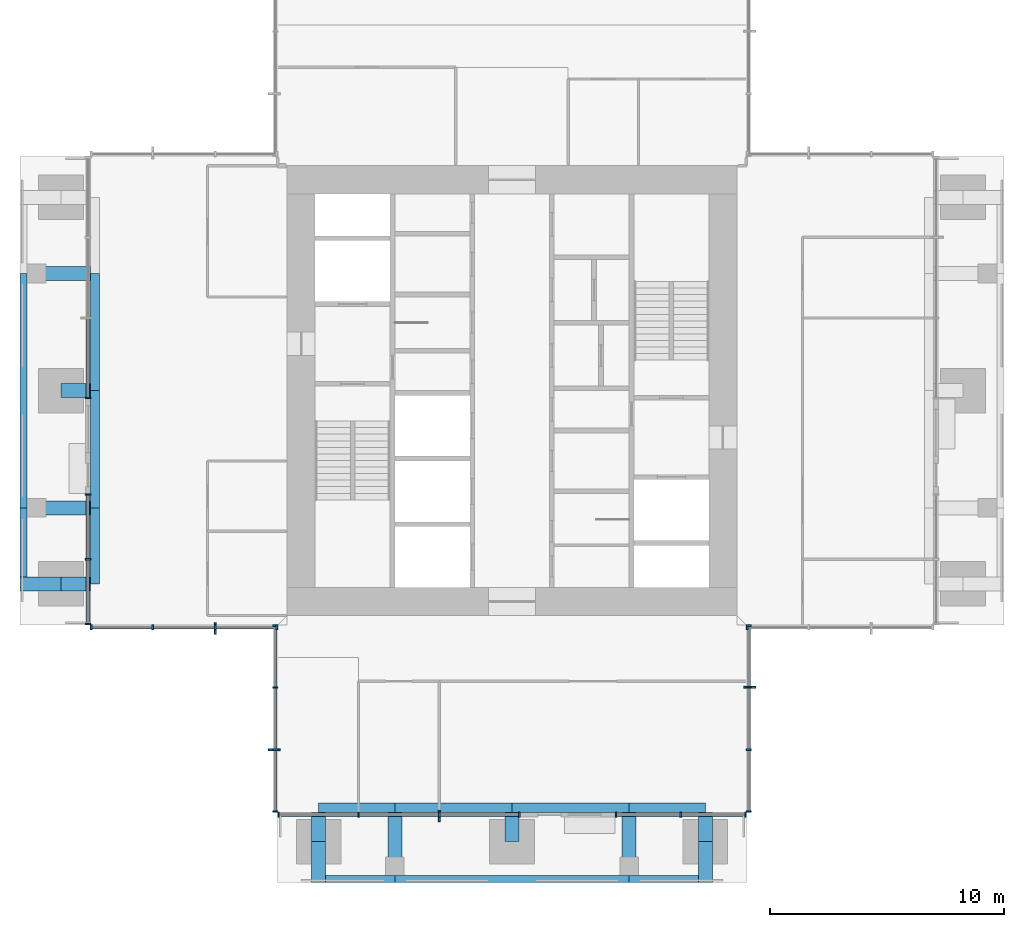
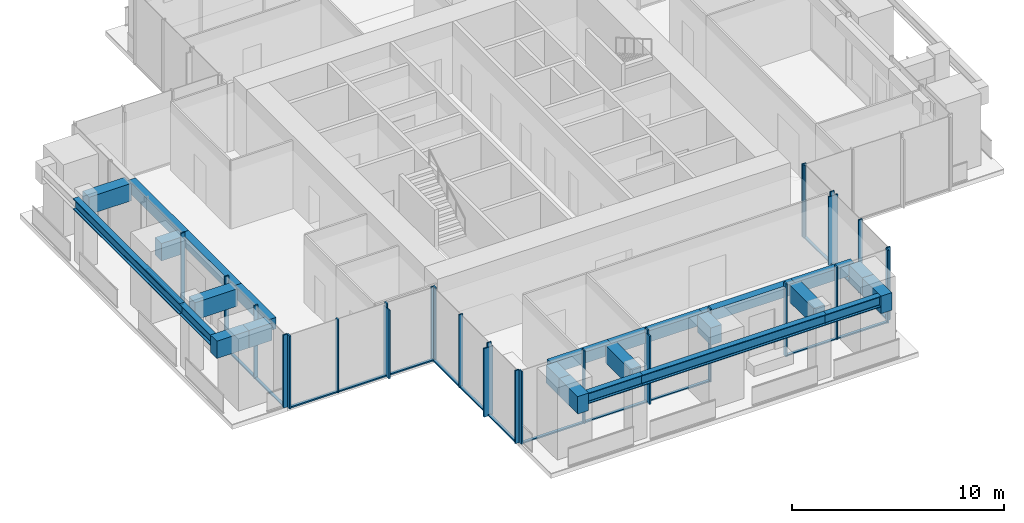
# One storey, part 2 of 12: 45 members, 24 beams, 8 elements without a shape of their own.
"""IFC4 building model written with IfcOpenShell, lengths in metres."""

import ifcopenshell
import ifcopenshell.guid

model = None  # the IFC model being written
_history = None  # IfcOwnerHistory: only IFC2X3 demands one
_inside = {}  # id of a spatial element -> (the spatial element, [elements in it])
_under = {}  # id of a project, library or spatial element -> (it, [spatial elements below it])
_declared = {}  # id of a project -> (the project, [libraries it declares])
_typed = {}  # id of a type object -> (the type object, [elements of that type])
_made_of = {}  # id of a material, layer set ... -> (it, [elements and type objects made of it])


def new_model(schema):
    """Start an empty IFC model of exactly this schema.

    Asked for "IFC4X3", IfcOpenShell would pick the latest addendum, in which some entities
    have other attributes; the version numbers below select the first issue.
    IFC2X3 requires an IfcOwnerHistory on every rooted entity: one is made here for all.
    """
    global model, _history
    if schema == "IFC4X3":
        model = ifcopenshell.file(schema_version=(4, 3, 0, 0))
    else:
        model = ifcopenshell.file(schema=schema)
    _inside.clear()
    _under.clear()
    _declared.clear()
    _typed.clear()
    _made_of.clear()
    _history = None
    if model.schema == "IFC2X3":
        org = make("IfcOrganization", Name="unknown")
        user = make(
            "IfcPersonAndOrganization",
            ThePerson=make("IfcPerson", FamilyName="unknown"),
            TheOrganization=org,
        )
        app = make(
            "IfcApplication",
            ApplicationDeveloper=org,
            Version="unknown",
            ApplicationFullName="unknown",
            ApplicationIdentifier="unknown",
        )
        _history = make(
            "IfcOwnerHistory",
            OwningUser=user,
            OwningApplication=app,
            ChangeAction="ADDED",
            CreationDate=0,
        )
    return model


def make(cls, **values):
    """One entity of the class cls with the attributes given. An attribute that is None is left unset."""
    return model.create_entity(
        cls, **{name: value for name, value in values.items() if value is not None}
    )


def rooted(cls, **values):
    """An entity with a GlobalId (a new one), such as an element, a storey or a relation."""
    return make(cls, GlobalId=ifcopenshell.guid.new(), OwnerHistory=_history, **values)


def si_unit(unit_type, name, prefix=None):
    """IfcSIUnit, for example si_unit("LENGTHUNIT", "METRE", prefix="MILLI")."""
    return make("IfcSIUnit", UnitType=unit_type, Prefix=prefix, Name=name)


def assignment(units):
    """IfcUnitAssignment: the units of a project."""
    return None if units is None else make("IfcUnitAssignment", Units=units)


def point(xyz):
    """IfcCartesianPoint."""
    return None if xyz is None else make("IfcCartesianPoint", Coordinates=xyz)


def direction(xyz):
    """IfcDirection."""
    return None if xyz is None else make("IfcDirection", DirectionRatios=xyz)


def frame(location, z_axis=None, x_axis=None):
    """IfcAxis2Placement3D, a coordinate frame: its origin and axes. An axis left out is left unset."""
    return make(
        "IfcAxis2Placement3D",
        Location=point(location),
        Axis=direction(z_axis),
        RefDirection=direction(x_axis),
    )


def frame_2d(location, x_axis=None):
    """IfcAxis2Placement2D, a coordinate frame in the plane: its origin and x axis."""
    return make(
        "IfcAxis2Placement2D", Location=point(location), RefDirection=direction(x_axis)
    )


def origin():
    """The frame at (0, 0, 0) with its axes left unset."""
    return frame((0.0, 0.0, 0.0))


def origin_2d():
    """The frame at (0, 0) in the plane with its x axis left unset."""
    return frame_2d((0.0, 0.0))


def place(relative_to, where):
    """IfcLocalPlacement: puts the frame where relative to a parent placement (None: the world)."""
    return make(
        "IfcLocalPlacement", PlacementRelTo=relative_to, RelativePlacement=where
    )


def context(
    kind, dimensions, precision=None, world=None, true_north=None, identifier=None
):
    """IfcGeometricRepresentationContext, for example the 3D "Model" context."""
    return make(
        "IfcGeometricRepresentationContext",
        ContextIdentifier=identifier,
        ContextType=kind,
        CoordinateSpaceDimension=dimensions,
        Precision=precision,
        WorldCoordinateSystem=world,
        TrueNorth=true_north,
    )


def subcontext(parent, identifier, kind, view, scale=None):
    """IfcGeometricRepresentationSubContext, for example "Body" below "Model"."""
    return make(
        "IfcGeometricRepresentationSubContext",
        ContextIdentifier=identifier,
        ContextType=kind,
        ParentContext=parent,
        TargetScale=scale,
        TargetView=view,
    )


def project(units=None, contexts=None):
    """IfcProject with its units and contexts."""
    return rooted(
        "IfcProject",
        Name="project",
        RepresentationContexts=contexts,
        UnitsInContext=assignment(units),
    )


def spatial(cls, under=None, at=None, **own):
    """A site, building, storey or space (cls), placed at a placement, below another one or the project."""
    s = rooted(cls, ObjectPlacement=at, **own)
    if under is not None:
        _under.setdefault(under.id(), (under, []))[1].append(s)
    return s


def profile(cls, at=None, kind="AREA", **sizes):
    """A parametric profile (cls). Its sizes go by their IFC names, for example OverallWidth=200.0."""
    return make(cls, ProfileType=kind, Position=at, **sizes)


def rectangle(**sizes):
    """IfcRectangleProfileDef."""
    return profile("IfcRectangleProfileDef", **sizes)


def i_section(**sizes):
    """IfcIShapeProfileDef."""
    return profile("IfcIShapeProfileDef", **sizes)


def extrude(swept, where, along, depth):
    """IfcExtrudedAreaSolid: the profile swept, set in the frame where, extruded along a direction by depth."""
    return make(
        "IfcExtrudedAreaSolid",
        SweptArea=swept,
        Position=where,
        ExtrudedDirection=direction(along),
        Depth=depth,
    )


def shape(context_of_items, identifier, shape_type, items):
    """IfcShapeRepresentation: the items that make up one representation, for example the "Body"."""
    return make(
        "IfcShapeRepresentation",
        ContextOfItems=context_of_items,
        RepresentationIdentifier=identifier,
        RepresentationType=shape_type,
        Items=items,
    )


def material(Name=None, Category=None):
    """IfcMaterial."""
    return make("IfcMaterial", Name=Name, Category=Category)


def material_profile(
    of_material, cross_section, Name=None, Category=None, Priority=None
):
    """IfcMaterialProfile: a cross section and its material."""
    return make(
        "IfcMaterialProfile",
        Name=Name,
        Material=of_material,
        Profile=cross_section,
        Priority=Priority,
        Category=Category,
    )


def profile_set(profiles, Name=None, composite=None):
    """IfcMaterialProfileSet."""
    return make(
        "IfcMaterialProfileSet",
        Name=Name,
        MaterialProfiles=profiles,
        CompositeProfile=composite,
    )


def made_of(thing, what):
    """Note that an element or type object is made of a material, layer set ...; save() writes the relation."""
    if what is not None:
        _made_of.setdefault(what.id(), (what, []))[1].append(thing)
    return thing


def type_object(cls, material=None, **own):
    """A type object (cls), such as IfcWallType, which elements share."""
    return made_of(rooted(cls, **own), material)


def element(
    cls,
    number,
    at=None,
    inside=None,
    cuts=None,
    type_object=None,
    material=None,
    context=None,
    identifier="Body",
    shape_type=None,
    held_by="IfcProductDefinitionShape",
    body=None,
    shapes=None,
    **own,
):
    """One element of the class cls, such as IfcWall. Its Tag is "e" and its number.

    at: its placement. inside: the storey or other place that contains it. cuts: it is an
    opening in that element (IfcRelVoidsElement). A single representation is given by context,
    identifier, shape_type and body (its items); several are given by shapes. held_by: the class
    of the entity that holds the representations. save() writes the other relations.
    """
    e = rooted(cls, Tag="e%d" % number, ObjectPlacement=at, **own)
    if body is not None:
        shapes = [shape(context, identifier, shape_type, body)]
    if shapes is not None:
        e.Representation = make(held_by, Representations=shapes)
    if inside is not None:
        _inside.setdefault(inside.id(), (inside, []))[1].append(e)
    if cuts is not None:
        rooted(
            "IfcRelVoidsElement", RelatingBuildingElement=cuts, RelatedOpeningElement=e
        )
    if type_object is not None:
        _typed.setdefault(type_object.id(), (type_object, []))[1].append(e)
    return made_of(e, material)


def aggregate(whole, parts):
    """IfcRelAggregates: a whole, such as a stair, and the parts it consists of."""
    return rooted("IfcRelAggregates", RelatingObject=whole, RelatedObjects=parts)


def save(model, path):
    """Write the relations noted so far, then the file.

    IfcRelAggregates (storeys below a building ...), IfcRelContainedInSpatialStructure (elements
    in a storey), IfcRelDefinesByType, IfcRelAssociatesMaterial and IfcRelDeclares: one each for
    every whole, place, type object, material and project.
    """
    for whole, parts in _under.values():
        aggregate(whole, parts)
    for where, things in _inside.values():
        rooted(
            "IfcRelContainedInSpatialStructure",
            RelatedElements=things,
            RelatingStructure=where,
        )
    for kind, things in _typed.values():
        rooted("IfcRelDefinesByType", RelatedObjects=things, RelatingType=kind)
    for what, things in _made_of.values():
        rooted("IfcRelAssociatesMaterial", RelatedObjects=things, RelatingMaterial=what)
    for by, libraries in _declared.values():
        rooted("IfcRelDeclares", RelatingContext=by, RelatedDefinitions=libraries)
    model.write(path)


model = new_model("IFC4")

# Units and contexts
model_context = context("Model", 3, precision=1e-05, world=origin(), true_north=direction((0.0, 1.0)))
body_context = subcontext(model_context, "Body", "Model", "MODEL_VIEW")
ifc_project = project(units=[si_unit("LENGTHUNIT", "METRE"), si_unit("AREAUNIT", "SQUARE_METRE"), si_unit("VOLUMEUNIT", "CUBIC_METRE"), si_unit("PLANEANGLEUNIT", "RADIAN"), si_unit("MASSUNIT", "GRAM", prefix="KILO")], contexts=[model_context])

# Site, building, storey
site_placement = place(None, origin())
site = spatial("IfcSite", under=ifc_project, at=site_placement, CompositionType="ELEMENT")
building_placement = place(site_placement, origin())
building = spatial("IfcBuilding", under=site, at=building_placement, Name="Svetlomir Tower", CompositionType="ELEMENT")
storey_placement = place(building_placement, frame((0.0, 0.0, 260.800048828125)))
storey = spatial("IfcBuildingStorey", under=building, at=storey_placement, Name="L62", CompositionType="ELEMENT", Elevation=260.800048828125)

# Curtain wall, member
ifc_material_1 = material(Name="Bronze anodised aluminium curtain wall", Category="aluminium")
curtain_wall_type = type_object("IfcCurtainWallType", Name="CURTAIN WALL CW4 EXECUTIVE", PredefinedType="NOTDEFINED", material=ifc_material_1)
curtain_wall_1_placement = place(storey_placement, origin())
curtain_wall_1 = element("IfcCurtainWall", 1, at=curtain_wall_1_placement, inside=storey, type_object=curtain_wall_type, Name="Curtain wall CW4 L62", PredefinedType="NOTDEFINED")
ifc_material_2 = material(Name="Bronze anodised aluminium", Category="aluminium")
ifc_material_profile_1 = material_profile(ifc_material_2, rectangle(XDim=0.080078125, YDim=0.5, at=origin_2d()), Name="FIN 80x500")
ifc_profile_set_1 = profile_set([ifc_material_profile_1], Name="Bronze anodised aluminium 6063-T6")
member_type_1 = type_object("IfcMemberType", Name="BRONZE FIN 80x500", PredefinedType="USERDEFINED", material=ifc_profile_set_1)
member_1_placement = place(storey_placement, frame((17.89990234375, 2.85009765625, 0.0), z_axis=(0.0, 0.0, 1.0), x_axis=(1.0, 0.0, 0.0)))
member_1 = element("IfcMember", 2, at=member_1_placement, type_object=member_type_1, Name="Bronze fin L62", ObjectType="FIN", PredefinedType="USERDEFINED", context=body_context, shape_type="SweptSolid", body=[
    extrude(rectangle(XDim=0.080078125, YDim=0.5, at=origin_2d()), origin(), (0.0, 0.0, 1.0), 3.949951171875),
])

curtain_wall_2_placement = place(storey_placement, origin())
curtain_wall_2 = element("IfcCurtainWall", 3, at=curtain_wall_2_placement, inside=storey, type_object=curtain_wall_type, Name="Curtain wall CW4 L62", PredefinedType="NOTDEFINED")
member_2_placement = place(storey_placement, frame((31.14990234375, 8.333251953125, 0.0), z_axis=(0.0, 0.0, 1.0), x_axis=(0.0, 1.0, 0.0)))
member_2 = element("IfcMember", 4, at=member_2_placement, type_object=member_type_1, Name="Bronze fin L62", ObjectType="FIN", PredefinedType="USERDEFINED", context=body_context, shape_type="SweptSolid", body=[
    extrude(rectangle(XDim=0.080078125, YDim=0.5, at=origin_2d()), origin(), (0.0, 0.0, 1.0), 3.949951171875),
])

curtain_wall_3_placement = place(storey_placement, origin())
curtain_wall_3 = element("IfcCurtainWall", 5, at=curtain_wall_3_placement, inside=storey, type_object=curtain_wall_type, Name="Curtain wall CW4 L62", PredefinedType="NOTDEFINED")
member_3_placement = place(storey_placement, frame((8.333251953125, 10.85009765625, 0.0), z_axis=(0.0, 0.0, 1.0), x_axis=(1.0, 0.0, 0.0)))
member_3 = element("IfcMember", 6, at=member_3_placement, type_object=member_type_1, Name="Bronze fin L62", ObjectType="FIN", PredefinedType="USERDEFINED", context=body_context, shape_type="SweptSolid", body=[
    extrude(rectangle(XDim=0.080078125, YDim=0.5, at=origin_2d()), origin(), (0.0, 0.0, 1.0), 3.949951171875),
])

curtain_wall_4_placement = place(storey_placement, origin())
curtain_wall_4 = element("IfcCurtainWall", 7, at=curtain_wall_4_placement, inside=storey, type_object=curtain_wall_type, Name="Curtain wall CW4 L62", PredefinedType="NOTDEFINED")
member_4_placement = place(storey_placement, frame((10.85009765625, 5.666748046875, 0.0), z_axis=(0.0, 0.0, 1.0), x_axis=(0.0, 1.0, 0.0)))
member_4 = element("IfcMember", 8, at=member_4_placement, type_object=member_type_1, Name="Bronze fin L62", ObjectType="FIN", PredefinedType="USERDEFINED", context=body_context, shape_type="SweptSolid", body=[
    extrude(rectangle(XDim=0.080078125, YDim=0.5, at=origin_2d()), origin(), (0.0, 0.0, 1.0), 3.949951171875),
])

# Member
ifc_material_3 = material(Name="Bronze anodised aluminium", Category="aluminium")
ifc_material_profile_2 = material_profile(ifc_material_3, rectangle(XDim=0.074951171875, YDim=0.219970703125, at=origin_2d()), Name="AL 75x220")
ifc_profile_set_2 = profile_set([ifc_material_profile_2], Name="Bronze anodised aluminium 6063-T6")
member_type_2 = type_object("IfcMemberType", Name="CW4 MULLION 75x220", PredefinedType="MULLION", material=ifc_profile_set_2)
member_5_placement = place(storey_placement, frame((11.03759765625, 2.89990234375, 0.0), z_axis=(0.0, 0.0, 1.0), x_axis=(1.0, 0.0, 0.0)))
member_5 = element("IfcMember", 9, at=member_5_placement, type_object=member_type_2, Name="CW4 mullion 1", PredefinedType="MULLION", context=body_context, shape_type="SweptSolid", body=[
    extrude(rectangle(XDim=0.074951171875, YDim=0.219970703125, at=origin_2d()), origin(), (0.0, 0.0, 1.0), 4.199951171875),
])

member_6_placement = place(storey_placement, frame((14.449951171875, 2.89990234375, 0.0), z_axis=(0.0, 0.0, 1.0), x_axis=(1.0, 0.0, 0.0)))
member_6 = element("IfcMember", 10, at=member_6_placement, type_object=member_type_2, Name="CW4 mullion 2", PredefinedType="MULLION", context=body_context, shape_type="SweptSolid", body=[
    extrude(rectangle(XDim=0.074951171875, YDim=0.219970703125, at=origin_2d()), origin(), (0.0, 0.0, 1.0), 4.199951171875),
])

member_7_placement = place(storey_placement, frame((17.89990234375, 2.89990234375, 0.0), z_axis=(0.0, 0.0, 1.0), x_axis=(1.0, 0.0, 0.0)))
member_7 = element("IfcMember", 11, at=member_7_placement, type_object=member_type_2, Name="CW4 mullion 3", PredefinedType="MULLION", context=body_context, shape_type="SweptSolid", body=[
    extrude(rectangle(XDim=0.074951171875, YDim=0.219970703125, at=origin_2d()), origin(), (0.0, 0.0, 1.0), 4.199951171875),
])

member_8_placement = place(storey_placement, frame((21.3125, 2.89990234375, 0.0), z_axis=(0.0, 0.0, 1.0), x_axis=(1.0, 0.0, 0.0)))
member_8 = element("IfcMember", 12, at=member_8_placement, type_object=member_type_2, Name="CW4 mullion 4", PredefinedType="MULLION", context=body_context, shape_type="SweptSolid", body=[
    extrude(rectangle(XDim=0.074951171875, YDim=0.219970703125, at=origin_2d()), origin(), (0.0, 0.0, 1.0), 4.199951171875),
])

# Curtain wall, members
curtain_wall_5_placement = place(storey_placement, origin())
curtain_wall_5 = element("IfcCurtainWall", 13, at=curtain_wall_5_placement, inside=storey, type_object=curtain_wall_type, Name="Curtain wall CW4 L62", PredefinedType="NOTDEFINED")
member_9_placement = place(storey_placement, frame((25.4375, 2.89990234375, 0.0), z_axis=(0.0, 0.0, 1.0), x_axis=(1.0, 0.0, 0.0)))
member_9 = element("IfcMember", 14, at=member_9_placement, type_object=member_type_2, Name="CW4 mullion 1", PredefinedType="MULLION", context=body_context, shape_type="SweptSolid", body=[
    extrude(rectangle(XDim=0.074951171875, YDim=0.219970703125, at=origin_2d()), origin(), (0.0, 0.0, 1.0), 4.199951171875),
])
member_10_placement = place(storey_placement, frame((28.199951171875, 2.89990234375, 0.0), z_axis=(0.0, 0.0, 1.0), x_axis=(1.0, 0.0, 0.0)))
member_10 = element("IfcMember", 15, at=member_10_placement, type_object=member_type_2, Name="CW4 mullion 2", PredefinedType="MULLION", context=body_context, shape_type="SweptSolid", body=[
    extrude(rectangle(XDim=0.074951171875, YDim=0.219970703125, at=origin_2d()), origin(), (0.0, 0.0, 1.0), 4.199951171875),
])
member_11_placement = place(storey_placement, frame((30.96240234375, 2.89990234375, 0.0), z_axis=(0.0, 0.0, 1.0), x_axis=(1.0, 0.0, 0.0)))
member_11 = element("IfcMember", 16, at=member_11_placement, type_object=member_type_2, Name="CW4 mullion 3", PredefinedType="MULLION", context=body_context, shape_type="SweptSolid", body=[
    extrude(rectangle(XDim=0.074951171875, YDim=0.219970703125, at=origin_2d()), origin(), (0.0, 0.0, 1.0), 4.199951171875),
])

# Member
member_12_placement = place(storey_placement, frame((31.10009765625, 3.03759765625, 0.0), z_axis=(0.0, 0.0, 1.0), x_axis=(0.0, 1.0, 0.0)))
member_12 = element("IfcMember", 17, at=member_12_placement, type_object=member_type_2, Name="CW4 mullion 1", PredefinedType="MULLION", context=body_context, shape_type="SweptSolid", body=[
    extrude(rectangle(XDim=0.074951171875, YDim=0.219970703125, at=origin_2d()), origin(), (0.0, 0.0, 1.0), 4.199951171875),
])

member_13_placement = place(storey_placement, frame((31.10009765625, 5.666748046875, 0.0), z_axis=(0.0, 0.0, 1.0), x_axis=(0.0, 1.0, 0.0)))
member_13 = element("IfcMember", 18, at=member_13_placement, type_object=member_type_2, Name="CW4 mullion 2", PredefinedType="MULLION", context=body_context, shape_type="SweptSolid", body=[
    extrude(rectangle(XDim=0.074951171875, YDim=0.219970703125, at=origin_2d()), origin(), (0.0, 0.0, 1.0), 4.199951171875),
])

member_14_placement = place(storey_placement, frame((31.10009765625, 8.333251953125, 0.0), z_axis=(0.0, 0.0, 1.0), x_axis=(0.0, 1.0, 0.0)))
member_14 = element("IfcMember", 19, at=member_14_placement, type_object=member_type_2, Name="CW4 mullion 3", PredefinedType="MULLION", context=body_context, shape_type="SweptSolid", body=[
    extrude(rectangle(XDim=0.074951171875, YDim=0.219970703125, at=origin_2d()), origin(), (0.0, 0.0, 1.0), 4.199951171875),
])

member_15_placement = place(storey_placement, frame((31.10009765625, 10.96240234375, 0.0), z_axis=(0.0, 0.0, 1.0), x_axis=(0.0, 1.0, 0.0)))
member_15 = element("IfcMember", 20, at=member_15_placement, type_object=member_type_2, Name="CW4 mullion 4", PredefinedType="MULLION", context=body_context, shape_type="SweptSolid", body=[
    extrude(rectangle(XDim=0.074951171875, YDim=0.219970703125, at=origin_2d()), origin(), (0.0, 0.0, 1.0), 4.199951171875),
])

# Curtain wall, member
curtain_wall_6_placement = place(storey_placement, origin())
curtain_wall_6 = element("IfcCurtainWall", 21, at=curtain_wall_6_placement, inside=storey, type_object=curtain_wall_type, Name="Curtain wall CW4 L62", PredefinedType="NOTDEFINED")
member_16_placement = place(storey_placement, frame((31.03759765625, 10.89990234375, 0.0), z_axis=(0.0, 0.0, 1.0), x_axis=(1.0, 0.0, 0.0)))
member_16 = element("IfcMember", 22, at=member_16_placement, type_object=member_type_2, Name="CW4 mullion 1", PredefinedType="MULLION", context=body_context, shape_type="SweptSolid", body=[
    extrude(rectangle(XDim=0.074951171875, YDim=0.219970703125, at=origin_2d()), origin(), (0.0, 0.0, 1.0), 4.199951171875),
])
aggregate(curtain_wall_6, [member_16])

curtain_wall_7_placement = place(storey_placement, origin())
curtain_wall_7 = element("IfcCurtainWall", 23, at=curtain_wall_7_placement, inside=storey, type_object=curtain_wall_type, Name="Curtain wall CW4 L62", PredefinedType="NOTDEFINED")
member_17_placement = place(storey_placement, frame((2.89990234375, 20.6875, 0.0), z_axis=(0.0, 0.0, 1.0), x_axis=(0.0, -1.0, 0.0)))
member_17 = element("IfcMember", 24, at=member_17_placement, type_object=member_type_2, Name="CW4 mullion 4", PredefinedType="MULLION", context=body_context, shape_type="SweptSolid", body=[
    extrude(rectangle(XDim=0.074951171875, YDim=0.219970703125, at=origin_2d()), origin(), (0.0, 0.0, 1.0), 4.199951171875),
])

# Curtain wall, members
curtain_wall_8_placement = place(storey_placement, origin())
curtain_wall_8 = element("IfcCurtainWall", 25, at=curtain_wall_8_placement, inside=storey, type_object=curtain_wall_type, Name="Curtain wall CW4 L62", PredefinedType="NOTDEFINED")
member_18_placement = place(storey_placement, frame((2.89990234375, 16.5625, 0.0), z_axis=(0.0, 0.0, 1.0), x_axis=(0.0, -1.0, 0.0)))
member_18 = element("IfcMember", 26, at=member_18_placement, type_object=member_type_2, Name="CW4 mullion 1", PredefinedType="MULLION", context=body_context, shape_type="SweptSolid", body=[
    extrude(rectangle(XDim=0.074951171875, YDim=0.219970703125, at=origin_2d()), origin(), (0.0, 0.0, 1.0), 4.199951171875),
])
member_19_placement = place(storey_placement, frame((2.89990234375, 13.800048828125, 0.0), z_axis=(0.0, 0.0, 1.0), x_axis=(0.0, -1.0, 0.0)))
member_19 = element("IfcMember", 27, at=member_19_placement, type_object=member_type_2, Name="CW4 mullion 2", PredefinedType="MULLION", context=body_context, shape_type="SweptSolid", body=[
    extrude(rectangle(XDim=0.074951171875, YDim=0.219970703125, at=origin_2d()), origin(), (0.0, 0.0, 1.0), 4.199951171875),
])
member_20_placement = place(storey_placement, frame((2.89990234375, 11.03759765625, 0.0), z_axis=(0.0, 0.0, 1.0), x_axis=(0.0, -1.0, 0.0)))
member_20 = element("IfcMember", 28, at=member_20_placement, type_object=member_type_2, Name="CW4 mullion 3", PredefinedType="MULLION", context=body_context, shape_type="SweptSolid", body=[
    extrude(rectangle(XDim=0.074951171875, YDim=0.219970703125, at=origin_2d()), origin(), (0.0, 0.0, 1.0), 4.199951171875),
])

# Member
member_21_placement = place(storey_placement, frame((3.03759765625, 10.89990234375, 0.0), z_axis=(0.0, 0.0, 1.0), x_axis=(1.0, 0.0, 0.0)))
member_21 = element("IfcMember", 29, at=member_21_placement, type_object=member_type_2, Name="CW4 mullion 1", PredefinedType="MULLION", context=body_context, shape_type="SweptSolid", body=[
    extrude(rectangle(XDim=0.074951171875, YDim=0.219970703125, at=origin_2d()), origin(), (0.0, 0.0, 1.0), 4.199951171875),
])

member_22_placement = place(storey_placement, frame((5.666748046875, 10.89990234375, 0.0), z_axis=(0.0, 0.0, 1.0), x_axis=(1.0, 0.0, 0.0)))
member_22 = element("IfcMember", 30, at=member_22_placement, type_object=member_type_2, Name="CW4 mullion 2", PredefinedType="MULLION", context=body_context, shape_type="SweptSolid", body=[
    extrude(rectangle(XDim=0.074951171875, YDim=0.219970703125, at=origin_2d()), origin(), (0.0, 0.0, 1.0), 4.199951171875),
])

member_23_placement = place(storey_placement, frame((8.333251953125, 10.89990234375, 0.0), z_axis=(0.0, 0.0, 1.0), x_axis=(1.0, 0.0, 0.0)))
member_23 = element("IfcMember", 31, at=member_23_placement, type_object=member_type_2, Name="CW4 mullion 3", PredefinedType="MULLION", context=body_context, shape_type="SweptSolid", body=[
    extrude(rectangle(XDim=0.074951171875, YDim=0.219970703125, at=origin_2d()), origin(), (0.0, 0.0, 1.0), 4.199951171875),
])

member_24_placement = place(storey_placement, frame((10.96240234375, 10.89990234375, 0.0), z_axis=(0.0, 0.0, 1.0), x_axis=(1.0, 0.0, 0.0)))
member_24 = element("IfcMember", 32, at=member_24_placement, type_object=member_type_2, Name="CW4 mullion 4", PredefinedType="MULLION", context=body_context, shape_type="SweptSolid", body=[
    extrude(rectangle(XDim=0.074951171875, YDim=0.219970703125, at=origin_2d()), origin(), (0.0, 0.0, 1.0), 4.199951171875),
])

member_25_placement = place(storey_placement, frame((10.89990234375, 10.96240234375, 0.0), z_axis=(0.0, 0.0, 1.0), x_axis=(0.0, -1.0, 0.0)))
member_25 = element("IfcMember", 33, at=member_25_placement, type_object=member_type_2, Name="CW4 mullion 1", PredefinedType="MULLION", context=body_context, shape_type="SweptSolid", body=[
    extrude(rectangle(XDim=0.074951171875, YDim=0.219970703125, at=origin_2d()), origin(), (0.0, 0.0, 1.0), 4.199951171875),
])

member_26_placement = place(storey_placement, frame((10.89990234375, 8.333251953125, 0.0), z_axis=(0.0, 0.0, 1.0), x_axis=(0.0, -1.0, 0.0)))
member_26 = element("IfcMember", 34, at=member_26_placement, type_object=member_type_2, Name="CW4 mullion 2", PredefinedType="MULLION", context=body_context, shape_type="SweptSolid", body=[
    extrude(rectangle(XDim=0.074951171875, YDim=0.219970703125, at=origin_2d()), origin(), (0.0, 0.0, 1.0), 4.199951171875),
])

member_27_placement = place(storey_placement, frame((10.89990234375, 5.666748046875, 0.0), z_axis=(0.0, 0.0, 1.0), x_axis=(0.0, -1.0, 0.0)))
member_27 = element("IfcMember", 35, at=member_27_placement, type_object=member_type_2, Name="CW4 mullion 3", PredefinedType="MULLION", context=body_context, shape_type="SweptSolid", body=[
    extrude(rectangle(XDim=0.074951171875, YDim=0.219970703125, at=origin_2d()), origin(), (0.0, 0.0, 1.0), 4.199951171875),
])

member_28_placement = place(storey_placement, frame((10.89990234375, 3.03759765625, 0.0), z_axis=(0.0, 0.0, 1.0), x_axis=(0.0, -1.0, 0.0)))
member_28 = element("IfcMember", 36, at=member_28_placement, type_object=member_type_2, Name="CW4 mullion 4", PredefinedType="MULLION", context=body_context, shape_type="SweptSolid", body=[
    extrude(rectangle(XDim=0.074951171875, YDim=0.219970703125, at=origin_2d()), origin(), (0.0, 0.0, 1.0), 4.199951171875),
])

ifc_material_4 = material(Name="Bronze anodised aluminium", Category="aluminium")
ifc_material_profile_3 = material_profile(ifc_material_4, rectangle(XDim=0.14990234375, YDim=0.074951171875, at=origin_2d()), Name="AL 150x75")
ifc_profile_set_3 = profile_set([ifc_material_profile_3], Name="Bronze anodised aluminium 6063-T6")
member_type_3 = type_object("IfcMemberType", Name="CW4 TRANSOM 75x150", PredefinedType="USERDEFINED", material=ifc_profile_set_3)
member_29_placement = place(storey_placement, frame((11.074951171875, 2.89990234375, 0.037353515625), z_axis=(1.0, 0.0, 0.0), x_axis=(0.0, 1.0, 0.0)))
member_29 = element("IfcMember", 37, at=member_29_placement, type_object=member_type_3, Name="CW4 transom 1.1", ObjectType="TRANSOM", PredefinedType="USERDEFINED", context=body_context, shape_type="SweptSolid", body=[
    extrude(rectangle(XDim=0.14990234375, YDim=0.074951171875, at=origin_2d()), origin(), (0.0, 0.0, 1.0), 3.337646484375),
])

member_30_placement = place(storey_placement, frame((14.487548828125, 2.89990234375, 0.037353515625), z_axis=(1.0, 0.0, 0.0), x_axis=(0.0, 1.0, 0.0)))
member_30 = element("IfcMember", 38, at=member_30_placement, type_object=member_type_3, Name="CW4 transom 2.1", ObjectType="TRANSOM", PredefinedType="USERDEFINED", context=body_context, shape_type="SweptSolid", body=[
    extrude(rectangle(XDim=0.14990234375, YDim=0.074951171875, at=origin_2d()), origin(), (0.0, 0.0, 1.0), 3.375),
])

member_31_placement = place(storey_placement, frame((17.9375, 2.89990234375, 0.037353515625), z_axis=(1.0, 0.0, 0.0), x_axis=(0.0, 1.0, 0.0)))
member_31 = element("IfcMember", 39, at=member_31_placement, type_object=member_type_3, Name="CW4 transom 3.1", ObjectType="TRANSOM", PredefinedType="USERDEFINED", context=body_context, shape_type="SweptSolid", body=[
    extrude(rectangle(XDim=0.14990234375, YDim=0.074951171875, at=origin_2d()), origin(), (0.0, 0.0, 1.0), 3.33740234375),
])

aggregate(curtain_wall_1, [member_5, member_6, member_7, member_8, member_29, member_30, member_31, member_1])

member_32_placement = place(storey_placement, frame((25.47509765625, 2.89990234375, 0.037353515625), z_axis=(1.0, 0.0, 0.0), x_axis=(0.0, 1.0, 0.0)))
member_32 = element("IfcMember", 40, at=member_32_placement, type_object=member_type_3, Name="CW4 transom 1.1", ObjectType="TRANSOM", PredefinedType="USERDEFINED", context=body_context, shape_type="SweptSolid", body=[
    extrude(rectangle(XDim=0.14990234375, YDim=0.074951171875, at=origin_2d()), origin(), (0.0, 0.0, 1.0), 2.6875),
])

member_33_placement = place(storey_placement, frame((28.237548828125, 2.89990234375, 0.037353515625), z_axis=(1.0, 0.0, 0.0), x_axis=(0.0, 1.0, 0.0)))
member_33 = element("IfcMember", 41, at=member_33_placement, type_object=member_type_3, Name="CW4 transom 2.1", ObjectType="TRANSOM", PredefinedType="USERDEFINED", context=body_context, shape_type="SweptSolid", body=[
    extrude(rectangle(XDim=0.14990234375, YDim=0.074951171875, at=origin_2d()), origin(), (0.0, 0.0, 1.0), 2.6875),
])

aggregate(curtain_wall_5, [member_9, member_10, member_11, member_32, member_33])

member_34_placement = place(storey_placement, frame((31.10009765625, 3.074951171875, 0.037353515625), z_axis=(0.0, 1.0, 0.0), x_axis=(-1.0, 0.0, 0.0)))
member_34 = element("IfcMember", 42, at=member_34_placement, type_object=member_type_3, Name="CW4 transom 1.1", ObjectType="TRANSOM", PredefinedType="USERDEFINED", context=body_context, shape_type="SweptSolid", body=[
    extrude(rectangle(XDim=0.14990234375, YDim=0.074951171875, at=origin_2d()), origin(), (0.0, 0.0, 1.0), 2.55419921875),
])

member_35_placement = place(storey_placement, frame((31.10009765625, 5.7041015625, 0.037353515625), z_axis=(0.0, 1.0, 0.0), x_axis=(-1.0, 0.0, 0.0)))
member_35 = element("IfcMember", 43, at=member_35_placement, type_object=member_type_3, Name="CW4 transom 2.1", ObjectType="TRANSOM", PredefinedType="USERDEFINED", context=body_context, shape_type="SweptSolid", body=[
    extrude(rectangle(XDim=0.14990234375, YDim=0.074951171875, at=origin_2d()), origin(), (0.0, 0.0, 1.0), 2.591796875),
])

member_36_placement = place(storey_placement, frame((31.10009765625, 8.370849609375, 0.037353515625), z_axis=(0.0, 1.0, 0.0), x_axis=(-1.0, 0.0, 0.0)))
member_36 = element("IfcMember", 44, at=member_36_placement, type_object=member_type_3, Name="CW4 transom 3.1", ObjectType="TRANSOM", PredefinedType="USERDEFINED", context=body_context, shape_type="SweptSolid", body=[
    extrude(rectangle(XDim=0.14990234375, YDim=0.074951171875, at=origin_2d()), origin(), (0.0, 0.0, 1.0), 2.55419921875),
])

aggregate(curtain_wall_2, [member_12, member_13, member_14, member_15, member_34, member_35, member_36, member_2])

member_37_placement = place(storey_placement, frame((2.89990234375, 24.0625, 0.037353515625), z_axis=(0.0, -1.0, 0.0), x_axis=(1.0, 0.0, 0.0)))
member_37 = element("IfcMember", 45, at=member_37_placement, type_object=member_type_3, Name="CW4 transom 3.1", ObjectType="TRANSOM", PredefinedType="USERDEFINED", context=body_context, shape_type="SweptSolid", body=[
    extrude(rectangle(XDim=0.14990234375, YDim=0.074951171875, at=origin_2d()), origin(), (0.0, 0.0, 1.0), 3.33740234375),
])

aggregate(curtain_wall_7, [member_17, member_37])

member_38_placement = place(storey_placement, frame((2.89990234375, 16.52490234375, 0.037353515625), z_axis=(0.0, -1.0, 0.0), x_axis=(1.0, 0.0, 0.0)))
member_38 = element("IfcMember", 46, at=member_38_placement, type_object=member_type_3, Name="CW4 transom 1.1", ObjectType="TRANSOM", PredefinedType="USERDEFINED", context=body_context, shape_type="SweptSolid", body=[
    extrude(rectangle(XDim=0.14990234375, YDim=0.074951171875, at=origin_2d()), origin(), (0.0, 0.0, 1.0), 2.6875),
])

member_39_placement = place(storey_placement, frame((2.89990234375, 13.762451171875, 0.037353515625), z_axis=(0.0, -1.0, 0.0), x_axis=(1.0, 0.0, 0.0)))
member_39 = element("IfcMember", 47, at=member_39_placement, type_object=member_type_3, Name="CW4 transom 2.1", ObjectType="TRANSOM", PredefinedType="USERDEFINED", context=body_context, shape_type="SweptSolid", body=[
    extrude(rectangle(XDim=0.14990234375, YDim=0.074951171875, at=origin_2d()), origin(), (0.0, 0.0, 1.0), 2.6875),
])

aggregate(curtain_wall_8, [member_18, member_19, member_20, member_38, member_39])

member_40_placement = place(storey_placement, frame((3.074951171875, 10.89990234375, 0.037353515625), z_axis=(1.0, 0.0, 0.0), x_axis=(0.0, 1.0, 0.0)))
member_40 = element("IfcMember", 48, at=member_40_placement, type_object=member_type_3, Name="CW4 transom 1.1", ObjectType="TRANSOM", PredefinedType="USERDEFINED", context=body_context, shape_type="SweptSolid", body=[
    extrude(rectangle(XDim=0.14990234375, YDim=0.074951171875, at=origin_2d()), origin(), (0.0, 0.0, 1.0), 2.55419921875),
])

member_41_placement = place(storey_placement, frame((5.7041015625, 10.89990234375, 0.037353515625), z_axis=(1.0, 0.0, 0.0), x_axis=(0.0, 1.0, 0.0)))
member_41 = element("IfcMember", 49, at=member_41_placement, type_object=member_type_3, Name="CW4 transom 2.1", ObjectType="TRANSOM", PredefinedType="USERDEFINED", context=body_context, shape_type="SweptSolid", body=[
    extrude(rectangle(XDim=0.14990234375, YDim=0.074951171875, at=origin_2d()), origin(), (0.0, 0.0, 1.0), 2.591796875),
])

member_42_placement = place(storey_placement, frame((8.370849609375, 10.89990234375, 0.037353515625), z_axis=(1.0, 0.0, 0.0), x_axis=(0.0, 1.0, 0.0)))
member_42 = element("IfcMember", 50, at=member_42_placement, type_object=member_type_3, Name="CW4 transom 3.1", ObjectType="TRANSOM", PredefinedType="USERDEFINED", context=body_context, shape_type="SweptSolid", body=[
    extrude(rectangle(XDim=0.14990234375, YDim=0.074951171875, at=origin_2d()), origin(), (0.0, 0.0, 1.0), 2.55419921875),
])

aggregate(curtain_wall_3, [member_21, member_22, member_23, member_24, member_40, member_41, member_42, member_3])

member_43_placement = place(storey_placement, frame((10.89990234375, 10.925048828125, 0.037353515625), z_axis=(0.0, -1.0, 0.0), x_axis=(1.0, 0.0, 0.0)))
member_43 = element("IfcMember", 51, at=member_43_placement, type_object=member_type_3, Name="CW4 transom 1.1", ObjectType="TRANSOM", PredefinedType="USERDEFINED", context=body_context, shape_type="SweptSolid", body=[
    extrude(rectangle(XDim=0.14990234375, YDim=0.074951171875, at=origin_2d()), origin(), (0.0, 0.0, 1.0), 2.55419921875),
])

member_44_placement = place(storey_placement, frame((10.89990234375, 8.2958984375, 0.037353515625), z_axis=(0.0, -1.0, 0.0), x_axis=(1.0, 0.0, 0.0)))
member_44 = element("IfcMember", 52, at=member_44_placement, type_object=member_type_3, Name="CW4 transom 2.1", ObjectType="TRANSOM", PredefinedType="USERDEFINED", context=body_context, shape_type="SweptSolid", body=[
    extrude(rectangle(XDim=0.14990234375, YDim=0.074951171875, at=origin_2d()), origin(), (0.0, 0.0, 1.0), 2.591796875),
])

member_45_placement = place(storey_placement, frame((10.89990234375, 5.629150390625, 0.037353515625), z_axis=(0.0, -1.0, 0.0), x_axis=(1.0, 0.0, 0.0)))
member_45 = element("IfcMember", 53, at=member_45_placement, type_object=member_type_3, Name="CW4 transom 3.1", ObjectType="TRANSOM", PredefinedType="USERDEFINED", context=body_context, shape_type="SweptSolid", body=[
    extrude(rectangle(XDim=0.14990234375, YDim=0.074951171875, at=origin_2d()), origin(), (0.0, 0.0, 1.0), 2.55419921875),
])

aggregate(curtain_wall_4, [member_25, member_26, member_27, member_28, member_43, member_44, member_45, member_4])

# Beams
ifc_material_5 = material(Name="Steel S355", Category="steel")
ifc_material_profile_4 = material_profile(ifc_material_5, i_section(OverallWidth=0.304931640625, OverallDepth=0.6201171875, WebThickness=0.02099609375, FlangeThickness=0.0400390625, FilletRadius=0.027099609375, at=origin_2d()), Name="HEM 600")
ifc_profile_set_4 = profile_set([ifc_material_profile_4], Name="Steel S355")
beam_type_1 = type_object("IfcBeamType", Name="EDGE BEAM HEM 600", PredefinedType="SPANDREL", material=ifc_profile_set_4)
for number, where, z_axis, x_axis, name in (
    (54, (13.050048828125, 0.152587890625, 3.639892578125), (1.0, 0.0, 0.0), (0.0, 1.0, 0.0), "Edge beam 11/0 to 16/0 under L63"),
    (55, (0.152587890625, 13.050048828125, 3.639892578125), (0.0, 1.0, 0.0), (-1.0, 0.0, 0.0), "Edge beam 0/11 to 0/16 under L63"),
):
    element("IfcBeam", number, at=place(storey_placement, frame(where, z_axis=z_axis, x_axis=x_axis)), inside=storey, type_object=beam_type_1, Name=name, PredefinedType="SPANDREL", context=body_context, shape_type="SweptSolid", body=[
        extrude(i_section(OverallWidth=0.304931640625, OverallDepth=0.6201171875, WebThickness=0.02099609375, FlangeThickness=0.0400390625, FilletRadius=0.027099609375, at=origin_2d()), origin(), (0.0, 0.0, 1.0), 2.949951171875),
    ])
for number, where, z_axis, x_axis, name in (
    (56, (16.0, 0.152587890625, 3.639892578125), (1.0, 0.0, 0.0), (0.0, 1.0, 0.0), "Edge beam 16/0 to 26/0 under L63"),
    (57, (0.152587890625, 16.0, 3.639892578125), (0.0, 1.0, 0.0), (-1.0, 0.0, 0.0), "Edge beam 0/16 to 0/26 under L63"),
):
    element("IfcBeam", number, at=place(storey_placement, frame(where, z_axis=z_axis, x_axis=x_axis)), inside=storey, type_object=beam_type_1, Name=name, PredefinedType="SPANDREL", context=body_context, shape_type="SweptSolid", body=[
        extrude(i_section(OverallWidth=0.304931640625, OverallDepth=0.6201171875, WebThickness=0.02099609375, FlangeThickness=0.0400390625, FilletRadius=0.027099609375, at=origin_2d()), origin(), (0.0, 0.0, 1.0), 10.0),
    ])
beam_1_placement = place(storey_placement, frame((26.0, 0.152587890625, 3.639892578125), z_axis=(1.0, 0.0, 0.0), x_axis=(0.0, 1.0, 0.0)))
element("IfcBeam", 58, at=beam_1_placement, inside=storey, type_object=beam_type_1, Name="Edge beam 26/0 to 31/0 under L63", PredefinedType="SPANDREL", context=body_context, shape_type="SweptSolid", body=[
    extrude(i_section(OverallWidth=0.304931640625, OverallDepth=0.6201171875, WebThickness=0.02099609375, FlangeThickness=0.0400390625, FilletRadius=0.027099609375, at=origin_2d()), origin(), (0.0, 0.0, 1.0), 2.949951171875),
])
ifc_material_6 = material(Name="Concrete C60/75", Category="concrete")
ifc_material_profile_5 = material_profile(ifc_material_6, rectangle(XDim=0.60009765625, YDim=1.0, at=origin_2d()), Name="RC 600x1000")
ifc_profile_set_5 = profile_set([ifc_material_profile_5], Name="Concrete C60/75")
beam_type_2 = type_object("IfcBeamType", Name="EDGE LINK BEAM RC 600x1000", PredefinedType="BEAM", material=ifc_profile_set_5)
for number, where, z_axis, x_axis, name in (
    (59, (1.75, 12.75, 3.449951171875), (-1.0, 0.0, 0.0), (0.0, -1.0, 0.0), "Edge link beam W 0/11 under L63"),
    (60, (12.75, 1.75, 3.449951171875), (0.0, -1.0, 0.0), (1.0, 0.0, 0.0), "Edge link beam S 11/0 under L63"),
    (61, (29.25, 1.75, 3.449951171875), (0.0, -1.0, 0.0), (1.0, 0.0, 0.0), "Edge link beam S 31/0 under L63"),
):
    element("IfcBeam", number, at=place(storey_placement, frame(where, z_axis=z_axis, x_axis=x_axis)), inside=storey, type_object=beam_type_2, Name=name, PredefinedType="BEAM", context=body_context, shape_type="SweptSolid", body=[
        extrude(rectangle(XDim=0.60009765625, YDim=1.0, at=origin_2d()), origin(), (0.0, 0.0, 1.0), 1.75),
    ])
ifc_material_7 = material(Name="Concrete C60/75", Category="concrete")
ifc_material_profile_6 = material_profile(ifc_material_7, rectangle(XDim=0.39990234375, YDim=0.64990234375, at=origin_2d()), Name="RC 400x650")
ifc_profile_set_6 = profile_set([ifc_material_profile_6], Name="Concrete C60/75")
beam_type_3 = type_object("IfcBeamType", Name="FACADE EDGE BEAM RC 400x650", PredefinedType="BEAM", material=ifc_profile_set_6)
beam_2_placement = place(storey_placement, frame((12.75, 3.199951171875, 3.625), z_axis=(1.0, 0.0, 0.0), x_axis=(0.0, 1.0, 0.0)))
element("IfcBeam", 62, at=beam_2_placement, inside=storey, type_object=beam_type_3, Name="Facade edge beam S 11 to 16 under L63", PredefinedType="BEAM", context=body_context, shape_type="SweptSolid", body=[
    extrude(rectangle(XDim=0.39990234375, YDim=0.64990234375, at=origin_2d()), origin(), (0.0, 0.0, 1.0), 3.25),
])
for number, where, z_axis, x_axis, name in (
    (63, (16.0, 3.199951171875, 3.625), (1.0, 0.0, 0.0), (0.0, 1.0, 0.0), "Facade edge beam S 16 to 21 under L63"),
    (64, (21.0, 3.199951171875, 3.625), (1.0, 0.0, 0.0), (0.0, 1.0, 0.0), "Facade edge beam S 21 to 26 under L63"),
):
    element("IfcBeam", number, at=place(storey_placement, frame(where, z_axis=z_axis, x_axis=x_axis)), inside=storey, type_object=beam_type_3, Name=name, PredefinedType="BEAM", context=body_context, shape_type="SweptSolid", body=[
        extrude(rectangle(XDim=0.39990234375, YDim=0.64990234375, at=origin_2d()), origin(), (0.0, 0.0, 1.0), 5.0),
    ])
for number, where, z_axis, x_axis, name in (
    (65, (26.0, 3.199951171875, 3.625), (1.0, 0.0, 0.0), (0.0, 1.0, 0.0), "Facade edge beam S 26 to 31 under L63"),
    (66, (3.199951171875, 12.75, 3.625), (0.0, 1.0, 0.0), (-1.0, 0.0, 0.0), "Facade edge beam W 11 to 16 under L63"),
):
    element("IfcBeam", number, at=place(storey_placement, frame(where, z_axis=z_axis, x_axis=x_axis)), inside=storey, type_object=beam_type_3, Name=name, PredefinedType="BEAM", context=body_context, shape_type="SweptSolid", body=[
        extrude(rectangle(XDim=0.39990234375, YDim=0.64990234375, at=origin_2d()), origin(), (0.0, 0.0, 1.0), 3.25),
    ])
for number, where, z_axis, x_axis, name in (
    (67, (3.199951171875, 16.0, 3.625), (0.0, 1.0, 0.0), (-1.0, 0.0, 0.0), "Facade edge beam W 16 to 21 under L63"),
    (68, (3.199951171875, 21.0, 3.625), (0.0, 1.0, 0.0), (-1.0, 0.0, 0.0), "Facade edge beam W 21 to 26 under L63"),
):
    element("IfcBeam", number, at=place(storey_placement, frame(where, z_axis=z_axis, x_axis=x_axis)), inside=storey, type_object=beam_type_3, Name=name, PredefinedType="BEAM", context=body_context, shape_type="SweptSolid", body=[
        extrude(rectangle(XDim=0.39990234375, YDim=0.64990234375, at=origin_2d()), origin(), (0.0, 0.0, 1.0), 5.0),
    ])
ifc_material_8 = material(Name="Concrete C60/75", Category="concrete")
ifc_material_profile_7 = material_profile(ifc_material_8, rectangle(XDim=0.60009765625, YDim=1.0, at=origin_2d()), Name="RC 600x1000")
ifc_profile_set_7 = profile_set([ifc_material_profile_7], Name="Concrete C60/75")
beam_type_4 = type_object("IfcBeamType", Name="LOGGIA LINK BEAM RC 600x1000", PredefinedType="BEAM", material=ifc_profile_set_7)
beam_3_placement = place(storey_placement, frame((12.75, 1.75, 3.449951171875), z_axis=(0.0, 1.0, 0.0), x_axis=(-1.0, 0.0, 0.0)))
element("IfcBeam", 69, at=beam_3_placement, inside=storey, type_object=beam_type_4, Name="Loggia link beam S 11 under L63", PredefinedType="BEAM", context=body_context, shape_type="SweptSolid", body=[
    extrude(rectangle(XDim=0.60009765625, YDim=1.0, at=origin_2d()), origin(), (0.0, 0.0, 1.0), 1.25),
])
beam_4_placement = place(storey_placement, frame((16.0, 0.699951171875, 3.449951171875), z_axis=(0.0, 1.0, 0.0), x_axis=(-1.0, 0.0, 0.0)))
element("IfcBeam", 70, at=beam_4_placement, inside=storey, type_object=beam_type_4, Name="Loggia link beam S 16 under L63", PredefinedType="BEAM", context=body_context, shape_type="SweptSolid", body=[
    extrude(rectangle(XDim=0.60009765625, YDim=1.0, at=origin_2d()), origin(), (0.0, 0.0, 1.0), 2.300048828125),
])
beam_5_placement = place(storey_placement, frame((21.0, 1.75, 3.449951171875), z_axis=(0.0, 1.0, 0.0), x_axis=(-1.0, 0.0, 0.0)))
element("IfcBeam", 71, at=beam_5_placement, inside=storey, type_object=beam_type_4, Name="Loggia link beam S 21 under L63", PredefinedType="BEAM", context=body_context, shape_type="SweptSolid", body=[
    extrude(rectangle(XDim=0.60009765625, YDim=1.0, at=origin_2d()), origin(), (0.0, 0.0, 1.0), 1.25),
])
beam_6_placement = place(storey_placement, frame((26.0, 0.699951171875, 3.449951171875), z_axis=(0.0, 1.0, 0.0), x_axis=(-1.0, 0.0, 0.0)))
element("IfcBeam", 72, at=beam_6_placement, inside=storey, type_object=beam_type_4, Name="Loggia link beam S 26 under L63", PredefinedType="BEAM", context=body_context, shape_type="SweptSolid", body=[
    extrude(rectangle(XDim=0.60009765625, YDim=1.0, at=origin_2d()), origin(), (0.0, 0.0, 1.0), 2.300048828125),
])
for number, where, z_axis, x_axis, name in (
    (73, (29.25, 1.75, 3.449951171875), (0.0, 1.0, 0.0), (-1.0, 0.0, 0.0), "Loggia link beam S 31 under L63"),
    (74, (1.75, 12.75, 3.449951171875), (1.0, 0.0, 0.0), (0.0, 1.0, 0.0), "Loggia link beam W 11 under L63"),
):
    element("IfcBeam", number, at=place(storey_placement, frame(where, z_axis=z_axis, x_axis=x_axis)), inside=storey, type_object=beam_type_4, Name=name, PredefinedType="BEAM", context=body_context, shape_type="SweptSolid", body=[
        extrude(rectangle(XDim=0.60009765625, YDim=1.0, at=origin_2d()), origin(), (0.0, 0.0, 1.0), 1.25),
    ])
beam_7_placement = place(storey_placement, frame((0.699951171875, 16.0, 3.449951171875), z_axis=(1.0, 0.0, 0.0), x_axis=(0.0, 1.0, 0.0)))
element("IfcBeam", 75, at=beam_7_placement, inside=storey, type_object=beam_type_4, Name="Loggia link beam W 16 under L63", PredefinedType="BEAM", context=body_context, shape_type="SweptSolid", body=[
    extrude(rectangle(XDim=0.60009765625, YDim=1.0, at=origin_2d()), origin(), (0.0, 0.0, 1.0), 2.300048828125),
])
beam_8_placement = place(storey_placement, frame((1.75, 21.0, 3.449951171875), z_axis=(1.0, 0.0, 0.0), x_axis=(0.0, 1.0, 0.0)))
element("IfcBeam", 76, at=beam_8_placement, inside=storey, type_object=beam_type_4, Name="Loggia link beam W 21 under L63", PredefinedType="BEAM", context=body_context, shape_type="SweptSolid", body=[
    extrude(rectangle(XDim=0.60009765625, YDim=1.0, at=origin_2d()), origin(), (0.0, 0.0, 1.0), 1.25),
])
beam_9_placement = place(storey_placement, frame((0.699951171875, 26.0, 3.449951171875), z_axis=(1.0, 0.0, 0.0), x_axis=(0.0, 1.0, 0.0)))
element("IfcBeam", 77, at=beam_9_placement, inside=storey, type_object=beam_type_4, Name="Loggia link beam W 26 under L63", PredefinedType="BEAM", context=body_context, shape_type="SweptSolid", body=[
    extrude(rectangle(XDim=0.60009765625, YDim=1.0, at=origin_2d()), origin(), (0.0, 0.0, 1.0), 2.300048828125),
])

save(model, "model.ifc")
